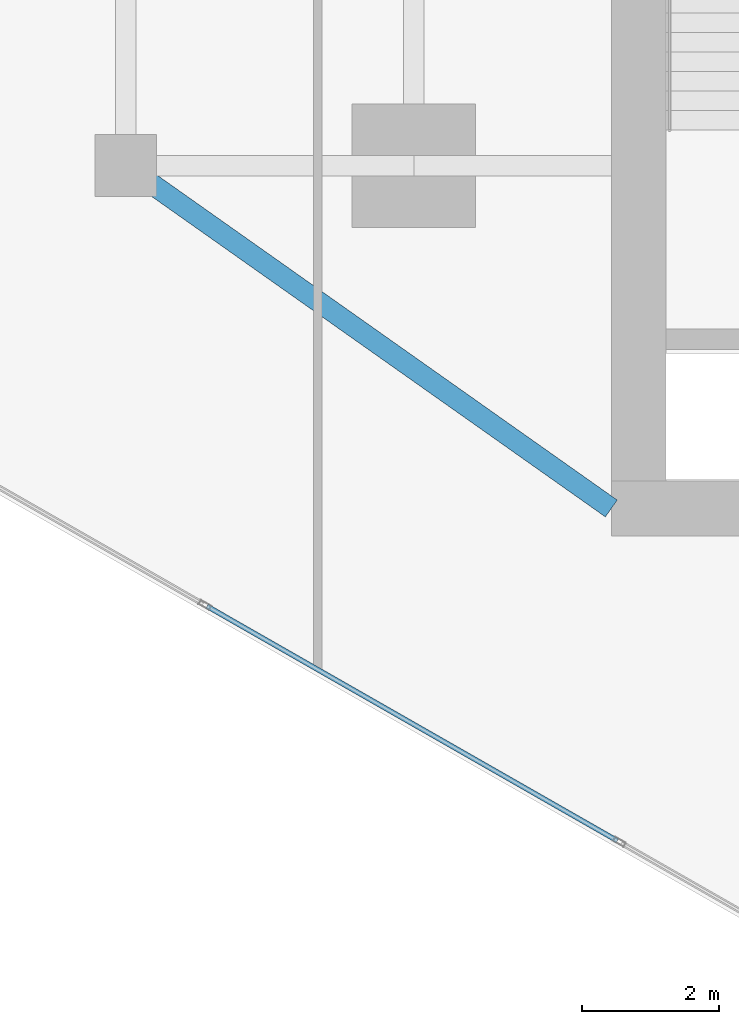
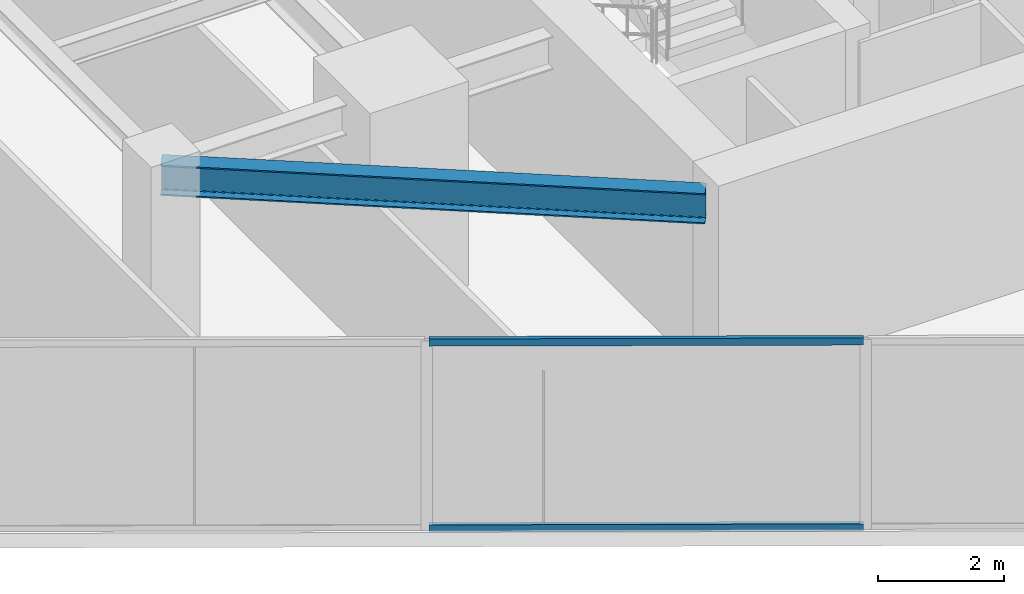
# One storey, part 4 of 24: 2 members, 1 beam, 1 element without a shape of its own.
"""IFC4 building model written with IfcOpenShell, lengths in metres."""

from ifc_helpers import new_model, si_unit, direction, frame, origin, origin_2d, place, context, subcontext, project, spatial, hollow_rectangle, i_section, extrude, source, transform, mapped, material, material_profile, profile_set, type_object, type_shapes, element, aggregate, save


model = new_model("IFC4")

# Units and contexts
model_context = context("Model", 3, precision=1e-05, world=origin(), true_north=direction((0.0, 1.0)))
body_context = subcontext(model_context, "Body", "Model", "MODEL_VIEW")
ifc_project = project(units=[si_unit("LENGTHUNIT", "METRE"), si_unit("AREAUNIT", "SQUARE_METRE"), si_unit("VOLUMEUNIT", "CUBIC_METRE"), si_unit("PLANEANGLEUNIT", "RADIAN"), si_unit("MASSUNIT", "GRAM", prefix="KILO")], contexts=[model_context])

# Site, building, storey
site_placement = place(None, origin())
site = spatial("IfcSite", under=ifc_project, at=site_placement, CompositionType="ELEMENT")
building_placement = place(site_placement, origin())
building = spatial("IfcBuilding", under=site, at=building_placement, Name="Krantzveldt Concourse Tower", CompositionType="ELEMENT")
storey_placement = place(building_placement, frame((0.0, 0.0, 169.89990234375)))
storey = spatial("IfcBuildingStorey", under=building, at=storey_placement, Name="L41", CompositionType="ELEMENT", Elevation=169.89990234375)

# Beam
ifc_material_1 = material(Name="Steel S355JR", Category="steel")
ifc_material_profile_1 = material_profile(ifc_material_1, i_section(OverallWidth=0.300048828125, OverallDepth=0.590087890625, WebThickness=0.012939453125, FlangeThickness=0.02490234375, FilletRadius=0.027099609375, at=origin_2d()), Name="Steel S355JR", Category="steel")
ifc_profile_set_1 = profile_set([ifc_material_profile_1], Name="Steel S355JR - HEA 600")
beam_type = type_object("IfcBeamType", Name="BM-B-HEA600", PredefinedType="BEAM", material=ifc_profile_set_1)
shared_shape_1 = source(origin(), body_context, "Body", "SweptSolid", [
    extrude(i_section(OverallWidth=0.300048828125, OverallDepth=0.590087890625, WebThickness=0.012939453125, FlangeThickness=0.02490234375, FilletRadius=0.027099609375, at=origin_2d()), origin(), (0.0, 0.0, 1.0), 8.667724609375),
])
type_shapes(beam_type, [shared_shape_1])
beam_placement = place(storey_placement, frame((21.0, 15.89990234375, 3.375), z_axis=(0.81684294656, -0.576860122261, 0.0), x_axis=(0.576860122261, 0.81684294656, 0.0)))
element("IfcBeam", 1, at=beam_placement, inside=storey, type_object=beam_type, Name="L41 Tower Girder BR-CSW", PredefinedType="BEAM", context=body_context, shape_type="MappedRepresentation", body=[
    mapped(shared_shape_1, transform((0.0, 0.0, 0.0), x_axis=(1.0, 0.0, 0.0), y_axis=(0.0, 1.0, 0.0), z_axis=(0.0, 0.0, 1.0), scale=1.0)),
])

# Curtain wall, members
ifc_material_2 = material(Name="Anodised aluminium 6063-T6", Category="aluminium")
curtain_wall_type = type_object("IfcCurtainWallType", Name="CW3", PredefinedType="USERDEFINED", material=ifc_material_2)
curtain_wall_placement = place(storey_placement, origin())
curtain_wall = element("IfcCurtainWall", 2, at=curtain_wall_placement, inside=storey, type_object=curtain_wall_type, Name="CW-L41-F08", ObjectType="UNITISED CURTAIN WALL", PredefinedType="USERDEFINED")
ifc_material_profile_2 = material_profile(ifc_material_2, hollow_rectangle(XDim=0.070068359375, YDim=0.139892578125, WallThickness=0.0048828125, at=origin_2d()), Name="Anodised aluminium 6063-T6", Category="aluminium")
ifc_profile_set_2 = profile_set([ifc_material_profile_2], Name="Anodised aluminium 6063-T6 - ALU-TRAN 140x70x5")
member_type = type_object("IfcMemberType", Name="CW-TRN-150", PredefinedType="USERDEFINED", material=ifc_profile_set_2)
shared_shape_2 = source(origin(), body_context, "Body", "SweptSolid", [
    extrude(hollow_rectangle(XDim=0.070068359375, YDim=0.139892578125, WallThickness=0.0048828125, at=origin_2d()), origin(), (0.0, 0.0, 1.0), 6.89013671875),
])
type_shapes(member_type, [shared_shape_2])
member_1_placement = place(storey_placement, frame((22.1865234375, 9.47412109375, 0.03515625), z_axis=(0.868199527911, -0.496215255443, 0.0), x_axis=(0.496215255443, 0.868199527911, 0.0)))
member_1 = element("IfcMember", 3, at=member_1_placement, type_object=member_type, Name="CW-Z34 transom 3.1", ObjectType="TRANSOM", PredefinedType="USERDEFINED", context=body_context, shape_type="MappedRepresentation", body=[
    mapped(shared_shape_2, transform((0.0, 0.0, 0.0), x_axis=(1.0, 0.0, 0.0), y_axis=(0.0, 1.0, 0.0), z_axis=(0.0, 0.0, 1.0), scale=1.0)),
])
member_2_placement = place(storey_placement, frame((22.1865234375, 9.47412109375, 3.635009765625), z_axis=(0.868199527911, -0.496215255443, 0.0), x_axis=(0.496215255443, 0.868199527911, 0.0)))
member_2 = element("IfcMember", 4, at=member_2_placement, type_object=member_type, Name="CW-Z34 transom 3.2", ObjectType="TRANSOM", PredefinedType="USERDEFINED", context=body_context, shape_type="MappedRepresentation", body=[
    mapped(shared_shape_2, transform((0.0, 0.0, 0.0), x_axis=(1.0, 0.0, 0.0), y_axis=(0.0, 1.0, 0.0), z_axis=(0.0, 0.0, 1.0), scale=1.0)),
])
aggregate(curtain_wall, [member_1, member_2])

save(model, "model.ifc")
